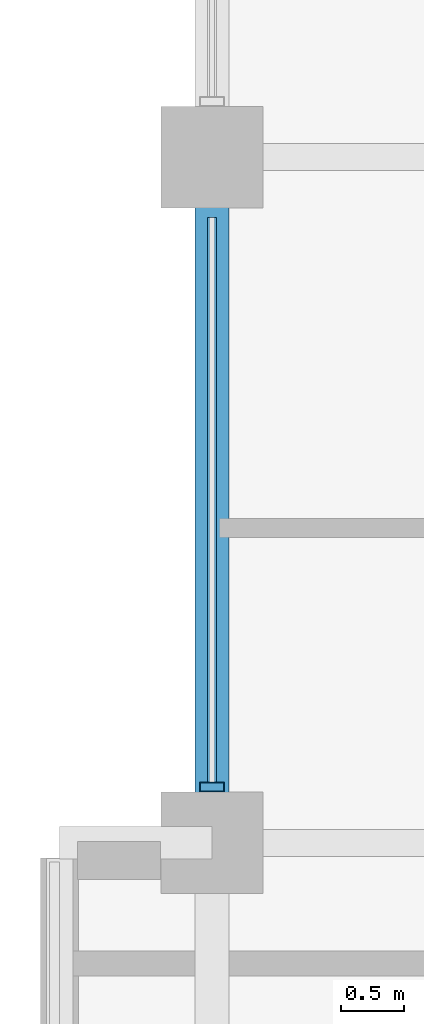
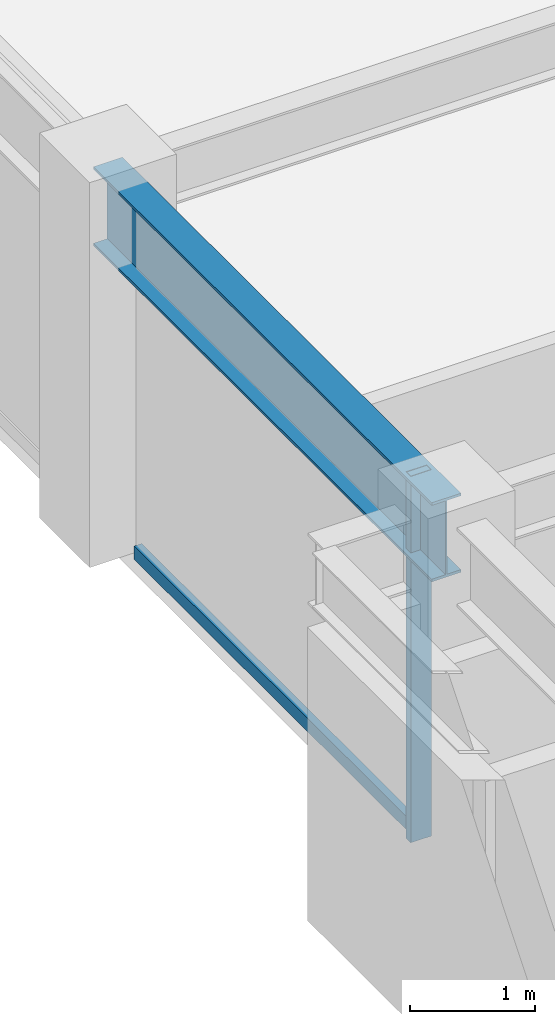
# One storey, part 8 of 30: 2 members, 1 beam, 1 element without a shape of its own.
"""IFC4 building model written with IfcOpenShell, lengths in metres."""

import ifcopenshell
import ifcopenshell.guid

model = None  # the IFC model being written
_history = None  # IfcOwnerHistory: only IFC2X3 demands one
_inside = {}  # id of a spatial element -> (the spatial element, [elements in it])
_under = {}  # id of a project, library or spatial element -> (it, [spatial elements below it])
_declared = {}  # id of a project -> (the project, [libraries it declares])
_typed = {}  # id of a type object -> (the type object, [elements of that type])
_made_of = {}  # id of a material, layer set ... -> (it, [elements and type objects made of it])


def new_model(schema):
    """Start an empty IFC model of exactly this schema.

    Asked for "IFC4X3", IfcOpenShell would pick the latest addendum, in which some entities
    have other attributes; the version numbers below select the first issue.
    IFC2X3 requires an IfcOwnerHistory on every rooted entity: one is made here for all.
    """
    global model, _history
    if schema == "IFC4X3":
        model = ifcopenshell.file(schema_version=(4, 3, 0, 0))
    else:
        model = ifcopenshell.file(schema=schema)
    _inside.clear()
    _under.clear()
    _declared.clear()
    _typed.clear()
    _made_of.clear()
    _history = None
    if model.schema == "IFC2X3":
        org = make("IfcOrganization", Name="unknown")
        user = make(
            "IfcPersonAndOrganization",
            ThePerson=make("IfcPerson", FamilyName="unknown"),
            TheOrganization=org,
        )
        app = make(
            "IfcApplication",
            ApplicationDeveloper=org,
            Version="unknown",
            ApplicationFullName="unknown",
            ApplicationIdentifier="unknown",
        )
        _history = make(
            "IfcOwnerHistory",
            OwningUser=user,
            OwningApplication=app,
            ChangeAction="ADDED",
            CreationDate=0,
        )
    return model


def make(cls, **values):
    """One entity of the class cls with the attributes given. An attribute that is None is left unset."""
    return model.create_entity(
        cls, **{name: value for name, value in values.items() if value is not None}
    )


def rooted(cls, **values):
    """An entity with a GlobalId (a new one), such as an element, a storey or a relation."""
    return make(cls, GlobalId=ifcopenshell.guid.new(), OwnerHistory=_history, **values)


def si_unit(unit_type, name, prefix=None):
    """IfcSIUnit, for example si_unit("LENGTHUNIT", "METRE", prefix="MILLI")."""
    return make("IfcSIUnit", UnitType=unit_type, Prefix=prefix, Name=name)


def assignment(units):
    """IfcUnitAssignment: the units of a project."""
    return None if units is None else make("IfcUnitAssignment", Units=units)


def point(xyz):
    """IfcCartesianPoint."""
    return None if xyz is None else make("IfcCartesianPoint", Coordinates=xyz)


def direction(xyz):
    """IfcDirection."""
    return None if xyz is None else make("IfcDirection", DirectionRatios=xyz)


def frame(location, z_axis=None, x_axis=None):
    """IfcAxis2Placement3D, a coordinate frame: its origin and axes. An axis left out is left unset."""
    return make(
        "IfcAxis2Placement3D",
        Location=point(location),
        Axis=direction(z_axis),
        RefDirection=direction(x_axis),
    )


def frame_2d(location, x_axis=None):
    """IfcAxis2Placement2D, a coordinate frame in the plane: its origin and x axis."""
    return make(
        "IfcAxis2Placement2D", Location=point(location), RefDirection=direction(x_axis)
    )


def origin():
    """The frame at (0, 0, 0) with its axes left unset."""
    return frame((0.0, 0.0, 0.0))


def origin_2d():
    """The frame at (0, 0) in the plane with its x axis left unset."""
    return frame_2d((0.0, 0.0))


def place(relative_to, where):
    """IfcLocalPlacement: puts the frame where relative to a parent placement (None: the world)."""
    return make(
        "IfcLocalPlacement", PlacementRelTo=relative_to, RelativePlacement=where
    )


def context(
    kind, dimensions, precision=None, world=None, true_north=None, identifier=None
):
    """IfcGeometricRepresentationContext, for example the 3D "Model" context."""
    return make(
        "IfcGeometricRepresentationContext",
        ContextIdentifier=identifier,
        ContextType=kind,
        CoordinateSpaceDimension=dimensions,
        Precision=precision,
        WorldCoordinateSystem=world,
        TrueNorth=true_north,
    )


def subcontext(parent, identifier, kind, view, scale=None):
    """IfcGeometricRepresentationSubContext, for example "Body" below "Model"."""
    return make(
        "IfcGeometricRepresentationSubContext",
        ContextIdentifier=identifier,
        ContextType=kind,
        ParentContext=parent,
        TargetScale=scale,
        TargetView=view,
    )


def project(units=None, contexts=None):
    """IfcProject with its units and contexts."""
    return rooted(
        "IfcProject",
        Name="project",
        RepresentationContexts=contexts,
        UnitsInContext=assignment(units),
    )


def spatial(cls, under=None, at=None, **own):
    """A site, building, storey or space (cls), placed at a placement, below another one or the project."""
    s = rooted(cls, ObjectPlacement=at, **own)
    if under is not None:
        _under.setdefault(under.id(), (under, []))[1].append(s)
    return s


def profile(cls, at=None, kind="AREA", **sizes):
    """A parametric profile (cls). Its sizes go by their IFC names, for example OverallWidth=200.0."""
    return make(cls, ProfileType=kind, Position=at, **sizes)


def hollow_rectangle(**sizes):
    """IfcRectangleHollowProfileDef."""
    return profile("IfcRectangleHollowProfileDef", **sizes)


def i_section(**sizes):
    """IfcIShapeProfileDef."""
    return profile("IfcIShapeProfileDef", **sizes)


def extrude(swept, where, along, depth):
    """IfcExtrudedAreaSolid: the profile swept, set in the frame where, extruded along a direction by depth."""
    return make(
        "IfcExtrudedAreaSolid",
        SweptArea=swept,
        Position=where,
        ExtrudedDirection=direction(along),
        Depth=depth,
    )


def shape(context_of_items, identifier, shape_type, items):
    """IfcShapeRepresentation: the items that make up one representation, for example the "Body"."""
    return make(
        "IfcShapeRepresentation",
        ContextOfItems=context_of_items,
        RepresentationIdentifier=identifier,
        RepresentationType=shape_type,
        Items=items,
    )


def material(Name=None, Category=None):
    """IfcMaterial."""
    return make("IfcMaterial", Name=Name, Category=Category)


def layer(
    of_material, thickness, ventilated=None, Name=None, Category=None, Priority=None
):
    """IfcMaterialLayer: one layer of a wall or slab, of a material (None: an air gap)."""
    return make(
        "IfcMaterialLayer",
        Material=of_material,
        LayerThickness=thickness,
        IsVentilated=ventilated,
        Name=Name,
        Category=Category,
        Priority=Priority,
    )


def layer_set(layers, Name=None):
    """IfcMaterialLayerSet."""
    return make("IfcMaterialLayerSet", MaterialLayers=layers, LayerSetName=Name)


def material_profile(
    of_material, cross_section, Name=None, Category=None, Priority=None
):
    """IfcMaterialProfile: a cross section and its material."""
    return make(
        "IfcMaterialProfile",
        Name=Name,
        Material=of_material,
        Profile=cross_section,
        Priority=Priority,
        Category=Category,
    )


def profile_set(profiles, Name=None, composite=None):
    """IfcMaterialProfileSet."""
    return make(
        "IfcMaterialProfileSet",
        Name=Name,
        MaterialProfiles=profiles,
        CompositeProfile=composite,
    )


def made_of(thing, what):
    """Note that an element or type object is made of a material, layer set ...; save() writes the relation."""
    if what is not None:
        _made_of.setdefault(what.id(), (what, []))[1].append(thing)
    return thing


def type_object(cls, material=None, **own):
    """A type object (cls), such as IfcWallType, which elements share."""
    return made_of(rooted(cls, **own), material)


def element(
    cls,
    number,
    at=None,
    inside=None,
    cuts=None,
    type_object=None,
    material=None,
    context=None,
    identifier="Body",
    shape_type=None,
    held_by="IfcProductDefinitionShape",
    body=None,
    shapes=None,
    **own,
):
    """One element of the class cls, such as IfcWall. Its Tag is "e" and its number.

    at: its placement. inside: the storey or other place that contains it. cuts: it is an
    opening in that element (IfcRelVoidsElement). A single representation is given by context,
    identifier, shape_type and body (its items); several are given by shapes. held_by: the class
    of the entity that holds the representations. save() writes the other relations.
    """
    e = rooted(cls, Tag="e%d" % number, ObjectPlacement=at, **own)
    if body is not None:
        shapes = [shape(context, identifier, shape_type, body)]
    if shapes is not None:
        e.Representation = make(held_by, Representations=shapes)
    if inside is not None:
        _inside.setdefault(inside.id(), (inside, []))[1].append(e)
    if cuts is not None:
        rooted(
            "IfcRelVoidsElement", RelatingBuildingElement=cuts, RelatedOpeningElement=e
        )
    if type_object is not None:
        _typed.setdefault(type_object.id(), (type_object, []))[1].append(e)
    return made_of(e, material)


def aggregate(whole, parts):
    """IfcRelAggregates: a whole, such as a stair, and the parts it consists of."""
    return rooted("IfcRelAggregates", RelatingObject=whole, RelatedObjects=parts)


def save(model, path):
    """Write the relations noted so far, then the file.

    IfcRelAggregates (storeys below a building ...), IfcRelContainedInSpatialStructure (elements
    in a storey), IfcRelDefinesByType, IfcRelAssociatesMaterial and IfcRelDeclares: one each for
    every whole, place, type object, material and project.
    """
    for whole, parts in _under.values():
        aggregate(whole, parts)
    for where, things in _inside.values():
        rooted(
            "IfcRelContainedInSpatialStructure",
            RelatedElements=things,
            RelatingStructure=where,
        )
    for kind, things in _typed.values():
        rooted("IfcRelDefinesByType", RelatedObjects=things, RelatingType=kind)
    for what, things in _made_of.values():
        rooted("IfcRelAssociatesMaterial", RelatedObjects=things, RelatingMaterial=what)
    for by, libraries in _declared.values():
        rooted("IfcRelDeclares", RelatingContext=by, RelatedDefinitions=libraries)
    model.write(path)


model = new_model("IFC4")

# Units and contexts
model_context = context("Model", 3, precision=1e-05, world=origin(), true_north=direction((0.0, 1.0)))
body_context = subcontext(model_context, "Body", "Model", "MODEL_VIEW")
ifc_project = project(units=[si_unit("LENGTHUNIT", "METRE"), si_unit("AREAUNIT", "SQUARE_METRE"), si_unit("VOLUMEUNIT", "CUBIC_METRE"), si_unit("PLANEANGLEUNIT", "RADIAN"), si_unit("MASSUNIT", "GRAM", prefix="KILO")], contexts=[model_context])

# Site, building, storey
site_placement = place(None, origin())
site = spatial("IfcSite", under=ifc_project, at=site_placement, CompositionType="ELEMENT")
building_placement = place(site_placement, origin())
building = spatial("IfcBuilding", under=site, at=building_placement, Name="Surkhivell Harbour Commons", CompositionType="ELEMENT")
storey_placement = place(building_placement, frame((0.0, 0.0, 231.0)))
storey = spatial("IfcBuildingStorey", under=building, at=storey_placement, Name="L60", CompositionType="ELEMENT", Elevation=231.0)

# Beam
ifc_material_1 = material(Name="Steel S355", Category="steel")
ifc_material_profile_1 = material_profile(ifc_material_1, i_section(OverallWidth=0.26806640625, OverallDepth=0.77001953125, WebThickness=0.015625, FlangeThickness=0.025390625, at=origin_2d()), Name="UB762x267x197")
ifc_profile_set_1 = profile_set([ifc_material_profile_1], Name="Steel S355")
beam_type = type_object("IfcBeamType", Name="BM-SPN-762", PredefinedType="SPANDREL", material=ifc_profile_set_1)
beam_placement = place(storey_placement, frame((-27.0, 5.39990234375, 3.18505859375), z_axis=(0.0, 1.0, 0.0), x_axis=(-1.0, 0.0, 0.0)))
element("IfcBeam", 1, at=beam_placement, inside=storey, type_object=beam_type, Name="L60 Tube Spandrel (-27.0,5.4)", PredefinedType="SPANDREL", context=body_context, shape_type="SweptSolid", body=[
    extrude(i_section(OverallWidth=0.26806640625, OverallDepth=0.77001953125, WebThickness=0.015625, FlangeThickness=0.025390625, at=origin_2d()), origin(), (0.0, 0.0, 1.0), 5.400146484375),
])

# Curtain wall, members
ifc_material_2 = material(Name="Anodised pale-metal aluminium and insulated glazing", Category="aluminium")
ifc_layer = layer(ifc_material_2, 0.18994140625)
ifc_layer_set = layer_set([ifc_layer], Name="Anodised pale-metal aluminium and insulated glazing")
curtain_wall_type = type_object("IfcCurtainWallType", Name="CW-SYS-Z3", PredefinedType="NOTDEFINED", material=ifc_layer_set)
curtain_wall_placement = place(storey_placement, origin())
curtain_wall = element("IfcCurtainWall", 2, at=curtain_wall_placement, inside=storey, type_object=curtain_wall_type, Name="L60 Curtain Wall CW-L60-E12R2", PredefinedType="NOTDEFINED")
ifc_material_3 = material(Name="Anodised pale-metal aluminium alloy 6063-T6", Category="aluminium")
ifc_material_profile_2 = material_profile(ifc_material_3, hollow_rectangle(XDim=0.074951171875, YDim=0.18994140625, WallThickness=0.00390625, at=origin_2d()), Name="ALU-MULL-75x190")
ifc_profile_set_2 = profile_set([ifc_material_profile_2], Name="Anodised pale-metal aluminium alloy 6063-T6")
member_type_1 = type_object("IfcMemberType", Name="CWM-190", PredefinedType="MULLION", material=ifc_profile_set_2)
member_1_placement = place(storey_placement, frame((-27.0, 5.839599609375, 0.0), z_axis=(0.0, 0.0, 1.0), x_axis=(0.0, 1.0, 0.0)))
member_1 = element("IfcMember", 3, at=member_1_placement, type_object=member_type_1, Name="CW-Z3 mullion 1", PredefinedType="MULLION", context=body_context, shape_type="SweptSolid", body=[
    extrude(hollow_rectangle(XDim=0.074951171875, YDim=0.18994140625, WallThickness=0.00390625, at=origin_2d()), origin(), (0.0, 0.0, 1.0), 3.570068359375),
])
ifc_material_4 = material(Name="Champagne anodised aluminium alloy 6063-T6", Category="aluminium")
ifc_material_profile_3 = material_profile(ifc_material_4, hollow_rectangle(XDim=0.070068359375, YDim=0.1298828125, WallThickness=0.00341796875, at=origin_2d()), Name="ALU-TRAN-70x130")
ifc_profile_set_3 = profile_set([ifc_material_profile_3], Name="Champagne anodised aluminium alloy 6063-T6")
member_type_2 = type_object("IfcMemberType", Name="CWT-130", PredefinedType="USERDEFINED", material=ifc_profile_set_3)
member_2_placement = place(storey_placement, frame((-27.0, 5.876953125, 0.06494140625), z_axis=(0.0, 1.0, 0.0), x_axis=(-1.0, 0.0, 0.0)))
member_2 = element("IfcMember", 4, at=member_2_placement, type_object=member_type_2, Name="CW-Z3 transom 1.1", ObjectType="TRANSOM", PredefinedType="USERDEFINED", context=body_context, shape_type="SweptSolid", body=[
    extrude(hollow_rectangle(XDim=0.070068359375, YDim=0.1298828125, WallThickness=0.00341796875, at=origin_2d()), origin(), (0.0, 0.0, 1.0), 4.446044921875),
])
aggregate(curtain_wall, [member_1, member_2])

save(model, "model.ifc")
